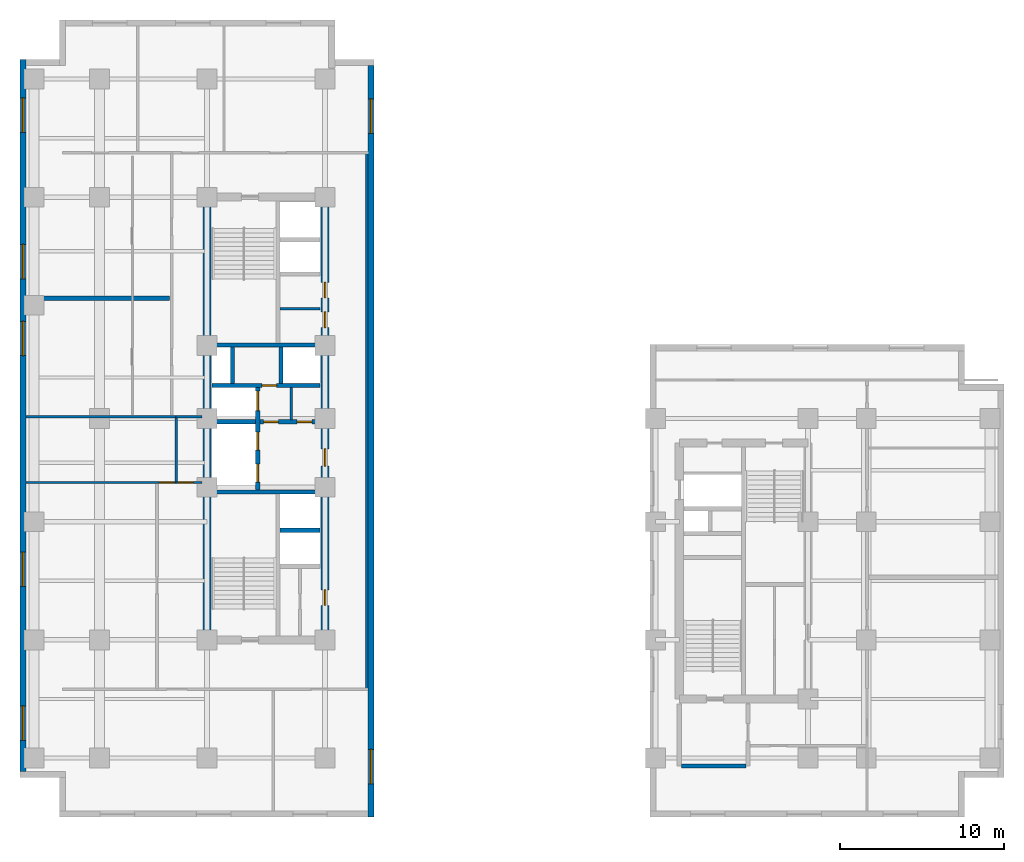
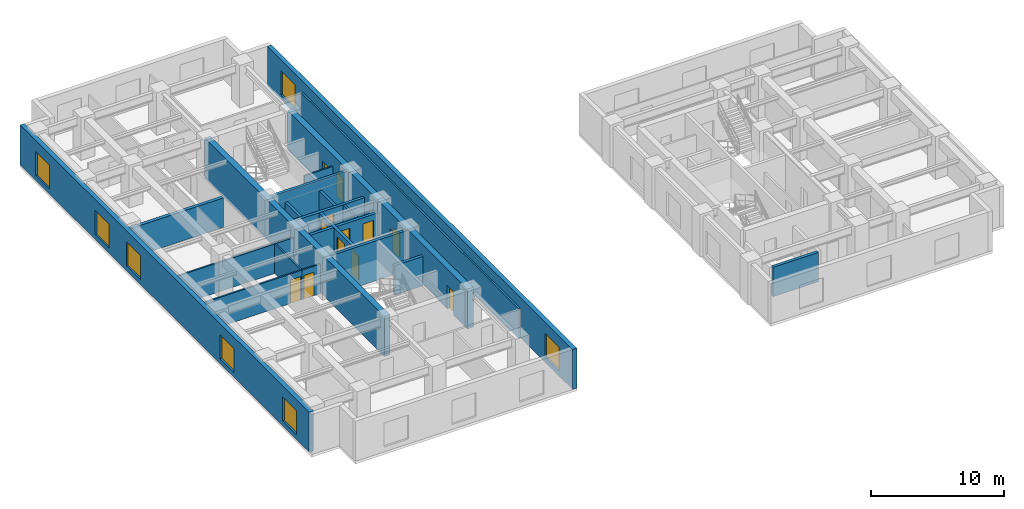
# One storey, part 3 of 9: 23 walls, 12 doors, 7 windows, 19 openings.
"""IFC4 building model written with IfcOpenShell, lengths in metres."""

from ifc_helpers import new_model, entity, si_unit, converted_unit, direction, frame, origin_with_axes, origin_2d_with_axis, place, context, subcontext, project, spatial, polyline, rectangle, outline, extrude, material, layer, layer_set, type_object, element, fill, save


model = new_model("IFC4")

# Units and contexts
model_context = context("Model", 3, precision=1e-05, world=origin_with_axes(), true_north=direction((0.0, 1.0)))
body_context = subcontext(model_context, "Body", "Model", "MODEL_VIEW")
ifc_project = project(units=[si_unit("LENGTHUNIT", "METRE"), si_unit("AREAUNIT", "SQUARE_METRE"), si_unit("VOLUMEUNIT", "CUBIC_METRE"), converted_unit("PLANEANGLEUNIT", "DEGREE", entity("IfcPlaneAngleMeasure", 0.017453292519943295), si_unit("PLANEANGLEUNIT", "RADIAN"), dimensions=[0, 0, 0, 0, 0, 0, 0]), si_unit("MASSUNIT", "GRAM", prefix="KILO"), si_unit("THERMODYNAMICTEMPERATUREUNIT", "KELVIN")], contexts=[model_context])

# Site, building, storey
site_placement = place(None, origin_with_axes())
site = spatial("IfcSite", under=ifc_project, at=site_placement, CompositionType="ELEMENT")
building_placement = place(site_placement, origin_with_axes())
building = spatial("IfcBuilding", under=site, at=building_placement, Name="Varnlund Millrace Tower", CompositionType="ELEMENT")
storey_placement = place(building_placement, frame((0.0, 0.0, 108.6), z_axis=(0.0, 0.0, 1.0), x_axis=(1.0, 0.0, 0.0)))
storey = spatial("IfcBuildingStorey", under=building, at=storey_placement, Name="L26", CompositionType="ELEMENT", Elevation=108.6)

# Wall
ifc_material_1 = material(Name="Concrete C70/85", Category="concrete")
ifc_layer_1 = layer(ifc_material_1, 0.5, Name="Concrete C70/85")
ifc_layer_set_1 = layer_set([ifc_layer_1], Name="Concrete C70/85")
wall_type_1 = type_object("IfcWallType", Name="Type-CoreWall-Shear-500-C70", PredefinedType="SHEAR", material=ifc_layer_set_1)
wall_1_placement = place(storey_placement, frame((11.4, 10.8, 0.0), z_axis=(0.0, 0.0, 1.0), x_axis=(0.0, 1.0, 0.0)))
element("IfcWall", 1, at=wall_1_placement, inside=storey, type_object=wall_type_1, Name="Type-CoreWall-Shear-500-C70", PredefinedType="SHEAR", context=body_context, shape_type="SweptSolid", body=[
    extrude(outline(polyline([(0.0, -0.25), (27.0, -0.25), (27.0, 0.25), (0.0, 0.25), (0.0, -0.25)])), origin_with_axes(), (0.0, 0.0, 1.0), 3.66),
])

# Wall, openings, doors
wall_2_placement = place(storey_placement, frame((18.6, 10.8, 0.0), z_axis=(0.0, 0.0, 1.0), x_axis=(0.0, 1.0, 0.0)))
wall_2 = element("IfcWall", 2, at=wall_2_placement, inside=storey, type_object=wall_type_1, Name="Type-CoreWall-Shear-500-C70", PredefinedType="SHEAR", context=body_context, shape_type="SweptSolid", body=[
    extrude(outline(polyline([(0.0, -0.25), (13.5, -0.25), (13.5, 0.25), (0.0, 0.25), (0.0, -0.25)])), origin_with_axes(), (0.0, 0.0, 1.0), 3.66),
])
opening_1_placement = place(wall_2_placement, frame((11.125, 0.0, 0.0), z_axis=(0.0, 0.0, 1.0), x_axis=(1.0, 0.0, 0.0)))
opening_1 = element("IfcOpeningElement", 3, at=opening_1_placement, cuts=wall_2, Name="Opening L26:DR-FFLOB-A", PredefinedType="OPENING", context=body_context, shape_type="SweptSolid", body=[
    extrude(rectangle(XDim=1.05, YDim=0.52, at=origin_2d_with_axis()), origin_with_axes(), (0.0, 0.0, 1.0), 2.15),
])
opening_2_placement = place(wall_2_placement, frame((2.575, 0.0, 0.0), z_axis=(0.0, 0.0, 1.0), x_axis=(1.0, 0.0, 0.0)))
opening_2 = element("IfcOpeningElement", 4, at=opening_2_placement, cuts=wall_2, Name="Opening L26:DR-RECL-L2", PredefinedType="OPENING", context=body_context, shape_type="SweptSolid", body=[
    extrude(rectangle(XDim=0.95, YDim=0.52, at=origin_2d_with_axis()), origin_with_axes(), (0.0, 0.0, 1.0), 2.15),
])
ifc_material_2 = material(Name="Smoke-barrier hollow steel fire door", Category="steel")
door_type_1 = type_object("IfcDoorType", Name="Type-FireDoor-Lobby-1050X2150", OperationType="NOTDEFINED", PredefinedType="DOOR", material=ifc_material_2)
door_1_placement = place(wall_2_placement, frame((11.125, 0.0, 0.0), z_axis=(0.0, 0.0, 1.0), x_axis=(1.0, 0.0, 0.0)))
door_1 = element("IfcDoor", 5, at=door_1_placement, inside=storey, type_object=door_type_1, Name="Type-FireDoor-Lobby-1050X2150", OperationType="SINGLE_SWING_LEFT", OverallHeight=2.15, OverallWidth=1.05, PredefinedType="DOOR", context=body_context, shape_type="SweptSolid", body=[
    extrude(rectangle(XDim=1.05, YDim=0.09, at=origin_2d_with_axis()), origin_with_axes(), (0.0, 0.0, 1.0), 2.15),
])
fill(opening_1, door_1)
ifc_material_3 = material(Name="Fire-rated hollow steel core service door", Category="steel")
door_type_2 = type_object("IfcDoorType", Name="Type-FireDoor-Service-950X2150", OperationType="NOTDEFINED", PredefinedType="DOOR", material=ifc_material_3)
door_2_placement = place(wall_2_placement, frame((2.575, 0.0, 0.0), z_axis=(0.0, 0.0, 1.0), x_axis=(1.0, 0.0, 0.0)))
door_2 = element("IfcDoor", 6, at=door_2_placement, inside=storey, type_object=door_type_2, Name="Type-FireDoor-Service-950X2150", OperationType="SINGLE_SWING_RIGHT", OverallHeight=2.15, OverallWidth=0.95, PredefinedType="DOOR", context=body_context, shape_type="SweptSolid", body=[
    extrude(rectangle(XDim=0.95, YDim=0.09, at=origin_2d_with_axis()), origin_with_axes(), (0.0, 0.0, 1.0), 2.15),
])
fill(opening_2, door_2)

wall_3_placement = place(storey_placement, frame((18.6, 24.3, 0.0), z_axis=(0.0, 0.0, 1.0), x_axis=(0.0, 1.0, 0.0)))
wall_3 = element("IfcWall", 7, at=wall_3_placement, inside=storey, type_object=wall_type_1, Name="Type-CoreWall-Shear-500-C70", PredefinedType="SHEAR", context=body_context, shape_type="SweptSolid", body=[
    extrude(outline(polyline([(0.0, -0.25), (13.5, -0.25), (13.5, 0.25), (0.0, 0.25), (0.0, -0.25)])), origin_with_axes(), (0.0, 0.0, 1.0), 3.66),
])
opening_3_placement = place(wall_3_placement, frame((6.025, 0.0, 0.0), z_axis=(0.0, 0.0, 1.0), x_axis=(1.0, 0.0, 0.0)))
opening_3 = element("IfcOpeningElement", 8, at=opening_3_placement, cuts=wall_3, Name="Opening L26:DR-CA-WC1", PredefinedType="OPENING", context=body_context, shape_type="SweptSolid", body=[
    extrude(rectangle(XDim=0.95, YDim=0.52, at=origin_2d_with_axis()), origin_with_axes(), (0.0, 0.0, 1.0), 2.15),
])
opening_4_placement = place(wall_3_placement, frame((7.825, 0.0, 0.0), z_axis=(0.0, 0.0, 1.0), x_axis=(1.0, 0.0, 0.0)))
opening_4 = element("IfcOpeningElement", 9, at=opening_4_placement, cuts=wall_3, Name="Opening L26:DR-CA-WC2", PredefinedType="OPENING", context=body_context, shape_type="SweptSolid", body=[
    extrude(rectangle(XDim=0.95, YDim=0.52, at=origin_2d_with_axis()), origin_with_axes(), (0.0, 0.0, 1.0), 2.15),
])
door_3_placement = place(wall_3_placement, frame((6.025, 0.0, 0.0), z_axis=(0.0, 0.0, 1.0), x_axis=(1.0, 0.0, 0.0)))
door_3 = element("IfcDoor", 10, at=door_3_placement, inside=storey, type_object=door_type_2, Name="Type-FireDoor-Service-950X2150", OperationType="SINGLE_SWING_RIGHT", OverallHeight=2.15, OverallWidth=0.95, PredefinedType="DOOR", context=body_context, shape_type="SweptSolid", body=[
    extrude(rectangle(XDim=0.95, YDim=0.09, at=origin_2d_with_axis()), origin_with_axes(), (0.0, 0.0, 1.0), 2.15),
])
fill(opening_3, door_3)
door_4_placement = place(wall_3_placement, frame((7.825, 0.0, 0.0), z_axis=(0.0, 0.0, 1.0), x_axis=(1.0, 0.0, 0.0)))
door_4 = element("IfcDoor", 11, at=door_4_placement, inside=storey, type_object=door_type_2, Name="Type-FireDoor-Service-950X2150", OperationType="SINGLE_SWING_RIGHT", OverallHeight=2.15, OverallWidth=0.95, PredefinedType="DOOR", context=body_context, shape_type="SweptSolid", body=[
    extrude(rectangle(XDim=0.95, YDim=0.09, at=origin_2d_with_axis()), origin_with_axes(), (0.0, 0.0, 1.0), 2.15),
])
fill(opening_4, door_4)

# Wall, openings, windows
ifc_material_4 = material(Name="Precast concrete C50/60", Category="concrete")
ifc_layer_2 = layer(ifc_material_4, 0.38, Name="Precast concrete C50/60")
ifc_layer_set_2 = layer_set([ifc_layer_2], Name="Precast concrete C50/60")
wall_type_2 = type_object("IfcWallType", Name="Type-ExtWall-Precast-Tube-380", PredefinedType="SOLIDWALL", material=ifc_layer_set_2)
wall_4_placement = place(storey_placement, frame((0.19, 2.78, 0.0), z_axis=(0.0, 0.0, 1.0), x_axis=(0.0, 1.0, 0.0)))
wall_4 = element("IfcWall", 12, at=wall_4_placement, inside=storey, type_object=wall_type_2, Name="Type-ExtWall-Precast-Tube-380", PredefinedType="SOLIDWALL", context=body_context, shape_type="SweptSolid", body=[
    extrude(outline(polyline([(0.0, -0.19), (43.42, -0.19), (43.42, 0.19), (0.0, 0.19), (0.0, -0.19)])), origin_with_axes(), (0.0, 0.0, 1.0), 3.66),
])
opening_5_placement = place(wall_4_placement, frame((2.946, 0.0, 0.45), z_axis=(0.0, 0.0, 1.0), x_axis=(1.0, 0.0, 0.0)))
opening_5 = element("IfcOpeningElement", 13, at=opening_5_placement, cuts=wall_4, Name="Opening L26:WN-01", PredefinedType="OPENING", context=body_context, shape_type="SweptSolid", body=[
    extrude(rectangle(XDim=2.1, YDim=0.4, at=origin_2d_with_axis()), origin_with_axes(), (0.0, 0.0, 1.0), 2.2),
])
opening_6_placement = place(wall_4_placement, frame((12.328, 0.0, 0.45), z_axis=(0.0, 0.0, 1.0), x_axis=(1.0, 0.0, 0.0)))
opening_6 = element("IfcOpeningElement", 14, at=opening_6_placement, cuts=wall_4, Name="Opening L26:WN-02", PredefinedType="OPENING", context=body_context, shape_type="SweptSolid", body=[
    extrude(rectangle(XDim=2.1, YDim=0.4, at=origin_2d_with_axis()), origin_with_axes(), (0.0, 0.0, 1.0), 2.2),
])
opening_7_placement = place(wall_4_placement, frame((26.401, 0.0, 0.45), z_axis=(0.0, 0.0, 1.0), x_axis=(1.0, 0.0, 0.0)))
opening_7 = element("IfcOpeningElement", 15, at=opening_7_placement, cuts=wall_4, Name="Opening L26:WN-03", PredefinedType="OPENING", context=body_context, shape_type="SweptSolid", body=[
    extrude(rectangle(XDim=2.1, YDim=0.4, at=origin_2d_with_axis()), origin_with_axes(), (0.0, 0.0, 1.0), 2.2),
])
opening_8_placement = place(wall_4_placement, frame((31.092, 0.0, 0.45), z_axis=(0.0, 0.0, 1.0), x_axis=(1.0, 0.0, 0.0)))
opening_8 = element("IfcOpeningElement", 16, at=opening_8_placement, cuts=wall_4, Name="Opening L26:WN-04", PredefinedType="OPENING", context=body_context, shape_type="SweptSolid", body=[
    extrude(rectangle(XDim=2.1, YDim=0.4, at=origin_2d_with_axis()), origin_with_axes(), (0.0, 0.0, 1.0), 2.2),
])
opening_9_placement = place(wall_4_placement, frame((40.024, 0.0, 0.45), z_axis=(0.0, 0.0, 1.0), x_axis=(1.0, 0.0, 0.0)))
opening_9 = element("IfcOpeningElement", 17, at=opening_9_placement, cuts=wall_4, Name="Opening L26:WN-05", PredefinedType="OPENING", context=body_context, shape_type="SweptSolid", body=[
    extrude(rectangle(XDim=2.1, YDim=0.4, at=origin_2d_with_axis()), origin_with_axes(), (0.0, 0.0, 1.0), 2.2),
])
ifc_material_5 = material(Name="Argon low-e triple glazing in thermally broken bronze frame", Category="glass")
window_type = type_object("IfcWindowType", Name="Type-Window-Punched-2100X2200", PartitioningType="SINGLE_PANEL", PredefinedType="WINDOW", material=ifc_material_5)
window_1_placement = place(wall_4_placement, frame((2.946, 0.0, 0.45), z_axis=(0.0, 0.0, 1.0), x_axis=(1.0, 0.0, 0.0)))
window_1 = element("IfcWindow", 18, at=window_1_placement, inside=storey, type_object=window_type, Name="Type-Window-Punched-2100X2200", OverallHeight=2.2, OverallWidth=2.1, PredefinedType="WINDOW", context=body_context, shape_type="SweptSolid", body=[
    extrude(rectangle(XDim=2.1, YDim=0.09, at=origin_2d_with_axis()), origin_with_axes(), (0.0, 0.0, 1.0), 2.2),
])
fill(opening_5, window_1)
window_2_placement = place(wall_4_placement, frame((12.328, 0.0, 0.45), z_axis=(0.0, 0.0, 1.0), x_axis=(1.0, 0.0, 0.0)))
window_2 = element("IfcWindow", 19, at=window_2_placement, inside=storey, type_object=window_type, Name="Type-Window-Punched-2100X2200", OverallHeight=2.2, OverallWidth=2.1, PredefinedType="WINDOW", context=body_context, shape_type="SweptSolid", body=[
    extrude(rectangle(XDim=2.1, YDim=0.09, at=origin_2d_with_axis()), origin_with_axes(), (0.0, 0.0, 1.0), 2.2),
])
fill(opening_6, window_2)
window_3_placement = place(wall_4_placement, frame((26.401, 0.0, 0.45), z_axis=(0.0, 0.0, 1.0), x_axis=(1.0, 0.0, 0.0)))
window_3 = element("IfcWindow", 20, at=window_3_placement, inside=storey, type_object=window_type, Name="Type-Window-Punched-2100X2200", OverallHeight=2.2, OverallWidth=2.1, PredefinedType="WINDOW", context=body_context, shape_type="SweptSolid", body=[
    extrude(rectangle(XDim=2.1, YDim=0.09, at=origin_2d_with_axis()), origin_with_axes(), (0.0, 0.0, 1.0), 2.2),
])
fill(opening_7, window_3)
window_4_placement = place(wall_4_placement, frame((31.092, 0.0, 0.45), z_axis=(0.0, 0.0, 1.0), x_axis=(1.0, 0.0, 0.0)))
window_4 = element("IfcWindow", 21, at=window_4_placement, inside=storey, type_object=window_type, Name="Type-Window-Punched-2100X2200", OverallHeight=2.2, OverallWidth=2.1, PredefinedType="WINDOW", context=body_context, shape_type="SweptSolid", body=[
    extrude(rectangle(XDim=2.1, YDim=0.09, at=origin_2d_with_axis()), origin_with_axes(), (0.0, 0.0, 1.0), 2.2),
])
fill(opening_8, window_4)
window_5_placement = place(wall_4_placement, frame((40.024, 0.0, 0.45), z_axis=(0.0, 0.0, 1.0), x_axis=(1.0, 0.0, 0.0)))
window_5 = element("IfcWindow", 22, at=window_5_placement, inside=storey, type_object=window_type, Name="Type-Window-Punched-2100X2200", OverallHeight=2.2, OverallWidth=2.1, PredefinedType="WINDOW", context=body_context, shape_type="SweptSolid", body=[
    extrude(rectangle(XDim=2.1, YDim=0.09, at=origin_2d_with_axis()), origin_with_axes(), (0.0, 0.0, 1.0), 2.2),
])
fill(opening_9, window_5)

wall_5_placement = place(storey_placement, frame((21.41, 45.82, 0.0), z_axis=(0.0, 0.0, 1.0), x_axis=(0.0, -1.0, 0.0)))
wall_5 = element("IfcWall", 23, at=wall_5_placement, inside=storey, type_object=wall_type_2, Name="Type-ExtWall-Precast-Tube-380", PredefinedType="SOLIDWALL", context=body_context, shape_type="SweptSolid", body=[
    extrude(outline(polyline([(0.0, -0.19), (45.82, -0.19), (45.82, 0.19), (0.0, 0.19), (0.0, -0.19)])), origin_with_axes(), (0.0, 0.0, 1.0), 3.66),
])
opening_10_placement = place(wall_5_placement, frame((3.079, 0.0, 0.45), z_axis=(0.0, 0.0, 1.0), x_axis=(1.0, 0.0, 0.0)))
opening_10 = element("IfcOpeningElement", 24, at=opening_10_placement, cuts=wall_5, Name="Opening L26:WN-09", PredefinedType="OPENING", context=body_context, shape_type="SweptSolid", body=[
    extrude(rectangle(XDim=2.1, YDim=0.4, at=origin_2d_with_axis()), origin_with_axes(), (0.0, 0.0, 1.0), 2.2),
])
opening_11_placement = place(wall_5_placement, frame((42.741, 0.0, 0.45), z_axis=(0.0, 0.0, 1.0), x_axis=(1.0, 0.0, 0.0)))
opening_11 = element("IfcOpeningElement", 25, at=opening_11_placement, cuts=wall_5, Name="Opening L26:WN-10", PredefinedType="OPENING", context=body_context, shape_type="SweptSolid", body=[
    extrude(rectangle(XDim=2.1, YDim=0.4, at=origin_2d_with_axis()), origin_with_axes(), (0.0, 0.0, 1.0), 2.2),
])
window_6_placement = place(wall_5_placement, frame((3.079, 0.0, 0.45), z_axis=(0.0, 0.0, 1.0), x_axis=(1.0, 0.0, 0.0)))
window_6 = element("IfcWindow", 26, at=window_6_placement, inside=storey, type_object=window_type, Name="Type-Window-Punched-2100X2200", OverallHeight=2.2, OverallWidth=2.1, PredefinedType="WINDOW", context=body_context, shape_type="SweptSolid", body=[
    extrude(rectangle(XDim=2.1, YDim=0.09, at=origin_2d_with_axis()), origin_with_axes(), (0.0, 0.0, 1.0), 2.2),
])
fill(opening_10, window_6)
window_7_placement = place(wall_5_placement, frame((42.741, 0.0, 0.45), z_axis=(0.0, 0.0, 1.0), x_axis=(1.0, 0.0, 0.0)))
window_7 = element("IfcWindow", 27, at=window_7_placement, inside=storey, type_object=window_type, Name="Type-Window-Punched-2100X2200", OverallHeight=2.2, OverallWidth=2.1, PredefinedType="WINDOW", context=body_context, shape_type="SweptSolid", body=[
    extrude(rectangle(XDim=2.1, YDim=0.09, at=origin_2d_with_axis()), origin_with_axes(), (0.0, 0.0, 1.0), 2.2),
])
fill(opening_11, window_7)

# Walls
ifc_material_6 = material(Name="Double-stud STC-60 conference acoustic partition", Category="gypsum")
ifc_layer_3 = layer(ifc_material_6, 0.28, Name="Double-stud STC-60 conference acoustic partition")
ifc_layer_set_3 = layer_set([ifc_layer_3], Name="Double-stud STC-60 conference acoustic partition")
wall_type_3 = type_object("IfcWallType", Name="Type-Partition-Acoustic-280", PredefinedType="PARTITIONING", material=ifc_layer_set_3)
wall_6_placement = place(storey_placement, frame((0.375, 31.623, 0.0), z_axis=(0.0, 0.0, 1.0), x_axis=(1.0, 0.0, 0.0)))
element("IfcWall", 28, at=wall_6_placement, inside=storey, type_object=wall_type_3, Name="Type-Partition-Acoustic-280", PredefinedType="PARTITIONING", context=body_context, shape_type="SweptSolid", body=[
    extrude(outline(polyline([(0.0, -0.14), (8.755, -0.14), (8.755, 0.14), (0.0, 0.14), (0.0, -0.14)])), origin_with_axes(), (0.0, 0.0, 1.0), 2.7),
])
ifc_material_7 = material(Name="Fire-rated gypsum board on cold-formed steel framing", Category="steel")
ifc_layer_4 = layer(ifc_material_7, 0.16, Name="Fire-rated gypsum board on cold-formed steel framing")
ifc_layer_set_4 = layer_set([ifc_layer_4], Name="Fire-rated gypsum board on cold-formed steel framing")
wall_type_4 = type_object("IfcWallType", Name="Type-Partition-Corridor-160", PredefinedType="PARTITIONING", material=ifc_layer_set_4)
wall_7_placement = place(storey_placement, frame((16.55, 24.22, 0.0), z_axis=(0.0, 0.0, 1.0), x_axis=(0.0, 1.0, 0.0)))
element("IfcWall", 29, at=wall_7_placement, inside=storey, type_object=wall_type_4, Name="Type-Partition-Corridor-160", PredefinedType="PARTITIONING", context=body_context, shape_type="SweptSolid", body=[
    extrude(outline(polyline([(0.0, -0.08), (1.98, -0.08), (1.98, 0.08), (0.0, 0.08), (0.0, -0.08)])), origin_with_axes(), (0.0, 0.0, 1.0), 2.7),
])
wall_8_placement = place(storey_placement, frame((21.15, 7.8, 0.0), z_axis=(0.0, 0.0, 1.0), x_axis=(0.0, 1.0, 0.0)))
element("IfcWall", 30, at=wall_8_placement, inside=storey, type_object=wall_type_4, Name="Type-Partition-Corridor-160", PredefinedType="PARTITIONING", context=body_context, shape_type="SweptSolid", body=[
    extrude(outline(polyline([(0.0, -0.08), (32.7, -0.08), (32.7, 0.08), (0.0, 0.08), (0.0, -0.08)])), origin_with_axes(), (0.0, 0.0, 1.0), 2.7),
])
ifc_material_8 = material(Name="Moisture-resistant gypsum restroom partition", Category="gypsum")
ifc_layer_5 = layer(ifc_material_8, 0.14, Name="Moisture-resistant gypsum restroom partition")
ifc_layer_set_5 = layer_set([ifc_layer_5], Name="Moisture-resistant gypsum restroom partition")
wall_type_5 = type_object("IfcWallType", Name="Type-Partition-Wet-140", PredefinedType="PARTITIONING", material=ifc_layer_set_5)
wall_9_placement = place(storey_placement, frame((15.84, 31.0, 0.0), z_axis=(0.0, 0.0, 1.0), x_axis=(1.0, 0.0, 0.0)))
element("IfcWall", 31, at=wall_9_placement, inside=storey, type_object=wall_type_5, Name="Type-Partition-Wet-140", PredefinedType="PARTITIONING", context=body_context, shape_type="SweptSolid", body=[
    extrude(outline(polyline([(0.0, -0.07), (2.46, -0.07), (2.46, 0.07), (0.0, 0.07), (0.0, -0.07)])), origin_with_axes(), (0.0, 0.0, 1.0), 2.7),
])
wall_10_placement = place(storey_placement, frame((9.52, 20.4, 0.0), z_axis=(0.0, 0.0, 1.0), x_axis=(0.0, 1.0, 0.0)))
element("IfcWall", 32, at=wall_10_placement, inside=storey, type_object=wall_type_5, Name="Type-Partition-Wet-140", PredefinedType="PARTITIONING", context=body_context, shape_type="SweptSolid", body=[
    extrude(outline(polyline([(0.0, -0.07), (4.0, -0.07), (4.0, 0.07), (0.0, 0.07), (0.0, -0.07)])), origin_with_axes(), (0.0, 0.0, 1.0), 2.7),
])

# Wall, opening, door
wall_11_placement = place(storey_placement, frame((9.52, 20.4, 0.0), z_axis=(0.0, 0.0, 1.0), x_axis=(1.0, 0.0, 0.0)))
wall_11 = element("IfcWall", 33, at=wall_11_placement, inside=storey, type_object=wall_type_5, Name="Type-Partition-Wet-140", PredefinedType="PARTITIONING", context=body_context, shape_type="SweptSolid", body=[
    extrude(outline(polyline([(0.0, -0.07), (1.58, -0.07), (1.58, 0.07), (0.0, 0.07), (0.0, -0.07)])), origin_with_axes(), (0.0, 0.0, 1.0), 2.7),
])
opening_12_placement = place(wall_11_placement, frame((0.59, 0.0, 0.0), z_axis=(0.0, 0.0, 1.0), x_axis=(1.0, 0.0, 0.0)))
opening_12 = element("IfcOpeningElement", 34, at=opening_12_placement, cuts=wall_11, Name="Opening L26:DR-CA-WCW", PredefinedType="OPENING", context=body_context, shape_type="SweptSolid", body=[
    extrude(rectangle(XDim=0.9, YDim=0.16, at=origin_2d_with_axis()), origin_with_axes(), (0.0, 0.0, 1.0), 2.15),
])
ifc_material_9 = material(Name="Painted steel riser and closet door", Category="steel")
door_type_3 = type_object("IfcDoorType", Name="Type-IntDoor-Closet-900X2150", OperationType="NOTDEFINED", PredefinedType="DOOR", material=ifc_material_9)
door_5_placement = place(wall_11_placement, frame((0.59, 0.0, 0.0), z_axis=(0.0, 0.0, 1.0), x_axis=(1.0, 0.0, 0.0)))
door_5 = element("IfcDoor", 35, at=door_5_placement, inside=storey, type_object=door_type_3, Name="Type-IntDoor-Closet-900X2150", OperationType="SINGLE_SWING_LEFT", OverallHeight=2.15, OverallWidth=0.9, PredefinedType="DOOR", context=body_context, shape_type="SweptSolid", body=[
    extrude(rectangle(XDim=0.9, YDim=0.084, at=origin_2d_with_axis()), origin_with_axes(), (0.0, 0.0, 1.0), 2.15),
])
fill(opening_12, door_5)

# Wall
wall_12_placement = place(storey_placement, frame((9.52, 24.4, 0.0), z_axis=(0.0, 0.0, 1.0), x_axis=(1.0, 0.0, 0.0)))
element("IfcWall", 36, at=wall_12_placement, inside=storey, type_object=wall_type_5, Name="Type-Partition-Wet-140", PredefinedType="PARTITIONING", context=body_context, shape_type="SweptSolid", body=[
    extrude(outline(polyline([(0.0, -0.07), (1.58, -0.07), (1.58, 0.07), (0.0, 0.07), (0.0, -0.07)])), origin_with_axes(), (0.0, 0.0, 1.0), 2.7),
])

# Wall, opening, door
wall_13_placement = place(storey_placement, frame((0.36, 20.4, 0.0), z_axis=(0.0, 0.0, 1.0), x_axis=(1.0, 0.0, 0.0)))
wall_13 = element("IfcWall", 37, at=wall_13_placement, inside=storey, type_object=wall_type_5, Name="Type-Partition-Wet-140", PredefinedType="PARTITIONING", context=body_context, shape_type="SweptSolid", body=[
    extrude(outline(polyline([(0.0, -0.07), (9.16, -0.07), (9.16, 0.07), (0.0, 0.07), (0.0, -0.07)])), origin_with_axes(), (0.0, 0.0, 1.0), 2.7),
])
opening_13_placement = place(wall_13_placement, frame((8.59, 0.0, 0.0), z_axis=(0.0, 0.0, 1.0), x_axis=(1.0, 0.0, 0.0)))
opening_13 = element("IfcOpeningElement", 38, at=opening_13_placement, cuts=wall_13, Name="Opening L26:DR-W-MIDR", PredefinedType="OPENING", context=body_context, shape_type="SweptSolid", body=[
    extrude(rectangle(XDim=0.9, YDim=0.16, at=origin_2d_with_axis()), origin_with_axes(), (0.0, 0.0, 1.0), 2.15),
])
door_6_placement = place(wall_13_placement, frame((8.59, 0.0, 0.0), z_axis=(0.0, 0.0, 1.0), x_axis=(1.0, 0.0, 0.0)))
door_6 = element("IfcDoor", 39, at=door_6_placement, inside=storey, type_object=door_type_3, Name="Type-IntDoor-Closet-900X2150", OperationType="SINGLE_SWING_LEFT", OverallHeight=2.15, OverallWidth=0.9, PredefinedType="DOOR", context=body_context, shape_type="SweptSolid", body=[
    extrude(rectangle(XDim=0.9, YDim=0.084, at=origin_2d_with_axis()), origin_with_axes(), (0.0, 0.0, 1.0), 2.15),
])
fill(opening_13, door_6)

# Wall
wall_14_placement = place(storey_placement, frame((0.36, 24.4, 0.0), z_axis=(0.0, 0.0, 1.0), x_axis=(1.0, 0.0, 0.0)))
element("IfcWall", 40, at=wall_14_placement, inside=storey, type_object=wall_type_5, Name="Type-Partition-Wet-140", PredefinedType="PARTITIONING", context=body_context, shape_type="SweptSolid", body=[
    extrude(outline(polyline([(0.0, -0.07), (9.16, -0.07), (9.16, 0.07), (0.0, 0.07), (0.0, -0.07)])), origin_with_axes(), (0.0, 0.0, 1.0), 2.7),
])

# Wall, openings, doors
ifc_material_10 = material(Name="Concrete C60/75", Category="concrete")
ifc_layer_6 = layer(ifc_material_10, 0.25, Name="Concrete C60/75")
ifc_layer_set_6 = layer_set([ifc_layer_6], Name="Concrete C60/75")
wall_type_6 = type_object("IfcWallType", Name="Type-ShaftWall-Fire-250", PredefinedType="SOLIDWALL", material=ifc_layer_set_6)
wall_15_placement = place(storey_placement, frame((14.5, 19.95, 0.0), z_axis=(0.0, 0.0, 1.0), x_axis=(0.0, 1.0, 0.0)))
wall_15 = element("IfcWall", 41, at=wall_15_placement, inside=storey, type_object=wall_type_6, Name="Type-ShaftWall-Fire-250", PredefinedType="SOLIDWALL", context=body_context, shape_type="SweptSolid", body=[
    extrude(outline(polyline([(0.0, -0.125), (6.25, -0.125), (6.25, 0.125), (0.0, 0.125), (0.0, -0.125)])), origin_with_axes(), (0.0, 0.0, 1.0), 2.7),
])
opening_14_placement = place(wall_15_placement, frame((1.025, 0.0, 0.0), z_axis=(0.0, 0.0, 1.0), x_axis=(1.0, 0.0, 0.0)))
opening_14 = element("IfcOpeningElement", 42, at=opening_14_placement, cuts=wall_15, Name="Opening L26:LD-FSAE1", PredefinedType="OPENING", context=body_context, shape_type="SweptSolid", body=[
    extrude(rectangle(XDim=1.1, YDim=0.27, at=origin_2d_with_axis()), origin_with_axes(), (0.0, 0.0, 1.0), 2.15),
])
opening_15_placement = place(wall_15_placement, frame((2.975, 0.0, 0.0), z_axis=(0.0, 0.0, 1.0), x_axis=(1.0, 0.0, 0.0)))
opening_15 = element("IfcOpeningElement", 43, at=opening_15_placement, cuts=wall_15, Name="Opening L26:LD-FSAE2", PredefinedType="OPENING", context=body_context, shape_type="SweptSolid", body=[
    extrude(rectangle(XDim=1.1, YDim=0.27, at=origin_2d_with_axis()), origin_with_axes(), (0.0, 0.0, 1.0), 2.15),
])
opening_16_placement = place(wall_15_placement, frame((5.425, 0.0, 0.0), z_axis=(0.0, 0.0, 1.0), x_axis=(1.0, 0.0, 0.0)))
opening_16 = element("IfcOpeningElement", 44, at=opening_16_placement, cuts=wall_15, Name="Opening L26:LD-SRV1", PredefinedType="OPENING", context=body_context, shape_type="SweptSolid", body=[
    extrude(rectangle(XDim=1.2, YDim=0.27, at=origin_2d_with_axis()), origin_with_axes(), (0.0, 0.0, 1.0), 2.15),
])
ifc_material_11 = material(Name="Stainless and architectural bronze sliding landing door")
door_type_4 = type_object("IfcDoorType", Name="Type-LiftLandingDoor-1100X2150", OperationType="NOTDEFINED", PredefinedType="DOOR", material=ifc_material_11)
door_7_placement = place(wall_15_placement, frame((1.025, 0.0, 0.0), z_axis=(0.0, 0.0, 1.0), x_axis=(1.0, 0.0, 0.0)))
door_7 = element("IfcDoor", 45, at=door_7_placement, inside=storey, type_object=door_type_4, Name="Type-LiftLandingDoor-1100X2150", OperationType="SLIDING_TO_LEFT", OverallHeight=2.15, OverallWidth=1.1, PredefinedType="DOOR", context=body_context, shape_type="SweptSolid", body=[
    extrude(rectangle(XDim=1.1, YDim=0.09, at=origin_2d_with_axis()), origin_with_axes(), (0.0, 0.0, 1.0), 2.15),
])
fill(opening_14, door_7)
door_8_placement = place(wall_15_placement, frame((2.975, 0.0, 0.0), z_axis=(0.0, 0.0, 1.0), x_axis=(1.0, 0.0, 0.0)))
door_8 = element("IfcDoor", 46, at=door_8_placement, inside=storey, type_object=door_type_4, Name="Type-LiftLandingDoor-1100X2150", OperationType="SLIDING_TO_RIGHT", OverallHeight=2.15, OverallWidth=1.1, PredefinedType="DOOR", context=body_context, shape_type="SweptSolid", body=[
    extrude(rectangle(XDim=1.1, YDim=0.09, at=origin_2d_with_axis()), origin_with_axes(), (0.0, 0.0, 1.0), 2.15),
])
fill(opening_15, door_8)
ifc_material_12 = material(Name="Heavy-duty freight sliding landing door")
door_type_5 = type_object("IfcDoorType", Name="Type-LiftLandingDoor-Service-1200X2150", OperationType="NOTDEFINED", PredefinedType="DOOR", material=ifc_material_12)
door_9_placement = place(wall_15_placement, frame((5.425, 0.0, 0.0), z_axis=(0.0, 0.0, 1.0), x_axis=(1.0, 0.0, 0.0)))
door_9 = element("IfcDoor", 47, at=door_9_placement, inside=storey, type_object=door_type_5, Name="Type-LiftLandingDoor-Service-1200X2150", OperationType="DOUBLE_DOOR_SLIDING", OverallHeight=2.15, OverallWidth=1.2, PredefinedType="DOOR", context=body_context, shape_type="SweptSolid", body=[
    extrude(rectangle(XDim=1.2, YDim=0.09, at=origin_2d_with_axis()), origin_with_axes(), (0.0, 0.0, 1.0), 2.15),
])
fill(opening_16, door_9)

wall_16_placement = place(storey_placement, frame((11.7, 24.1, 0.0), z_axis=(0.0, 0.0, 1.0), x_axis=(1.0, 0.0, 0.0)))
wall_16 = element("IfcWall", 48, at=wall_16_placement, inside=storey, type_object=wall_type_6, Name="Type-ShaftWall-Fire-250", PredefinedType="SOLIDWALL", context=body_context, shape_type="SweptSolid", body=[
    extrude(outline(polyline([(0.0, -0.125), (6.6, -0.125), (6.6, 0.125), (0.0, 0.125), (0.0, -0.125)])), origin_with_axes(), (0.0, 0.0, 1.0), 2.7),
])
opening_17_placement = place(wall_16_placement, frame((3.6, 0.0, 0.0), z_axis=(0.0, 0.0, 1.0), x_axis=(1.0, 0.0, 0.0)))
opening_17 = element("IfcOpeningElement", 49, at=opening_17_placement, cuts=wall_16, Name="Opening L26:DR-CA-SUB1", PredefinedType="OPENING", context=body_context, shape_type="SweptSolid", body=[
    extrude(rectangle(XDim=0.9, YDim=0.27, at=origin_2d_with_axis()), origin_with_axes(), (0.0, 0.0, 1.0), 2.15),
])
opening_18_placement = place(wall_16_placement, frame((5.65, 0.0, 0.0), z_axis=(0.0, 0.0, 1.0), x_axis=(1.0, 0.0, 0.0)))
opening_18 = element("IfcOpeningElement", 50, at=opening_18_placement, cuts=wall_16, Name="Opening L26:DR-CA-SUB2", PredefinedType="OPENING", context=body_context, shape_type="SweptSolid", body=[
    extrude(rectangle(XDim=0.9, YDim=0.27, at=origin_2d_with_axis()), origin_with_axes(), (0.0, 0.0, 1.0), 2.15),
])
ifc_material_13 = material(Name="Fire-rated hollow steel service closet door", Category="steel")
door_type_6 = type_object("IfcDoorType", Name="Type-FireDoor-Closet-900X2150", OperationType="NOTDEFINED", PredefinedType="DOOR", material=ifc_material_13)
door_10_placement = place(wall_16_placement, frame((3.6, 0.0, 0.0), z_axis=(0.0, 0.0, 1.0), x_axis=(1.0, 0.0, 0.0)))
door_10 = element("IfcDoor", 51, at=door_10_placement, inside=storey, type_object=door_type_6, Name="Type-FireDoor-Closet-900X2150", OperationType="SINGLE_SWING_LEFT", OverallHeight=2.15, OverallWidth=0.9, PredefinedType="DOOR", context=body_context, shape_type="SweptSolid", body=[
    extrude(rectangle(XDim=0.9, YDim=0.09, at=origin_2d_with_axis()), origin_with_axes(), (0.0, 0.0, 1.0), 2.15),
])
fill(opening_17, door_10)
door_11_placement = place(wall_16_placement, frame((5.65, 0.0, 0.0), z_axis=(0.0, 0.0, 1.0), x_axis=(1.0, 0.0, 0.0)))
door_11 = element("IfcDoor", 52, at=door_11_placement, inside=storey, type_object=door_type_6, Name="Type-FireDoor-Closet-900X2150", OperationType="SINGLE_SWING_LEFT", OverallHeight=2.15, OverallWidth=0.9, PredefinedType="DOOR", context=body_context, shape_type="SweptSolid", body=[
    extrude(rectangle(XDim=0.9, YDim=0.09, at=origin_2d_with_axis()), origin_with_axes(), (0.0, 0.0, 1.0), 2.15),
])
fill(opening_18, door_11)

# Wall, opening, door
wall_17_placement = place(storey_placement, frame((11.7, 26.325, 0.0), z_axis=(0.0, 0.0, 1.0), x_axis=(1.0, 0.0, 0.0)))
wall_17 = element("IfcWall", 53, at=wall_17_placement, inside=storey, type_object=wall_type_6, Name="Type-ShaftWall-Fire-250", PredefinedType="SOLIDWALL", context=body_context, shape_type="SweptSolid", body=[
    extrude(outline(polyline([(0.0, -0.125), (6.6, -0.125), (6.6, 0.125), (0.0, 0.125), (0.0, -0.125)])), origin_with_axes(), (0.0, 0.0, 1.0), 2.7),
])
opening_19_placement = place(wall_17_placement, frame((3.5, 0.0, 0.0), z_axis=(0.0, 0.0, 1.0), x_axis=(1.0, 0.0, 0.0)))
opening_19 = element("IfcOpeningElement", 54, at=opening_19_placement, cuts=wall_17, Name="Opening L26:DR-CA-ELC", PredefinedType="OPENING", context=body_context, shape_type="SweptSolid", body=[
    extrude(rectangle(XDim=0.9, YDim=0.27, at=origin_2d_with_axis()), origin_with_axes(), (0.0, 0.0, 1.0), 2.15),
])
door_12_placement = place(wall_17_placement, frame((3.5, 0.0, 0.0), z_axis=(0.0, 0.0, 1.0), x_axis=(1.0, 0.0, 0.0)))
door_12 = element("IfcDoor", 55, at=door_12_placement, inside=storey, type_object=door_type_6, Name="Type-FireDoor-Closet-900X2150", OperationType="SINGLE_SWING_LEFT", OverallHeight=2.15, OverallWidth=0.9, PredefinedType="DOOR", context=body_context, shape_type="SweptSolid", body=[
    extrude(rectangle(XDim=0.9, YDim=0.09, at=origin_2d_with_axis()), origin_with_axes(), (0.0, 0.0, 1.0), 2.15),
])
fill(opening_19, door_12)

# Walls
for number, where, z_axis, x_axis, name in (
    (56, (12.96, 26.45, 0.0), (0.0, 0.0, 1.0), (0.0, 1.0, 0.0), "Type-ShaftWall-Fire-250"),
    (57, (15.925, 26.45, 0.0), (0.0, 0.0, 1.0), (0.0, 1.0, 0.0), "Type-ShaftWall-Fire-250"),
):
    element("IfcWall", number, at=place(storey_placement, frame(where, z_axis=z_axis, x_axis=x_axis)), inside=storey, type_object=wall_type_6, Name=name, PredefinedType="SOLIDWALL", context=body_context, shape_type="SweptSolid", body=[
        extrude(outline(polyline([(0.0, -0.125), (2.2, -0.125), (2.2, 0.125), (0.0, 0.125), (0.0, -0.125)])), origin_with_axes(), (0.0, 0.0, 1.0), 2.7),
    ])
wall_18_placement = place(storey_placement, frame((40.325, 3.1, 0.0), z_axis=(0.0, 0.0, 1.0), x_axis=(1.0, 0.0, 0.0)))
element("IfcWall", 58, at=wall_18_placement, inside=storey, type_object=wall_type_6, Name="Type-ShaftWall-Fire-250", PredefinedType="SOLIDWALL", context=body_context, shape_type="SweptSolid", body=[
    extrude(outline(polyline([(0.0, -0.125), (3.95, -0.125), (3.95, 0.125), (0.0, 0.125), (0.0, -0.125)])), origin_with_axes(), (0.0, 0.0, 1.0), 2.7),
])
wall_19_placement = place(storey_placement, frame((15.84, 17.49, 0.0), z_axis=(0.0, 0.0, 1.0), x_axis=(1.0, 0.0, 0.0)))
element("IfcWall", 59, at=wall_19_placement, inside=storey, type_object=wall_type_6, Name="Type-ShaftWall-Fire-250", PredefinedType="SOLIDWALL", context=body_context, shape_type="SweptSolid", body=[
    extrude(outline(polyline([(0.0, -0.125), (2.46, -0.125), (2.46, 0.125), (0.0, 0.125), (0.0, -0.125)])), origin_with_axes(), (0.0, 0.0, 1.0), 2.7),
])
wall_type_7 = type_object("IfcWallType", Name="Type-StairWall-Shear-250", PredefinedType="SHEAR", material=ifc_layer_set_6)
for number, where, z_axis, x_axis, name in (
    (60, (11.65, 19.825, 0.0), (0.0, 0.0, 1.0), (1.0, 0.0, 0.0), "Type-StairWall-Shear-250"),
    (61, (11.65, 28.775, 0.0), (0.0, 0.0, 1.0), (1.0, 0.0, 0.0), "Type-StairWall-Shear-250"),
):
    element("IfcWall", number, at=place(storey_placement, frame(where, z_axis=z_axis, x_axis=x_axis)), inside=storey, type_object=wall_type_7, Name=name, PredefinedType="SHEAR", context=body_context, shape_type="SweptSolid", body=[
        extrude(outline(polyline([(0.0, -0.125), (6.7, -0.125), (6.7, 0.125), (0.0, 0.125), (0.0, -0.125)])), origin_with_axes(), (0.0, 0.0, 1.0), 3.66),
    ])

save(model, "model.ifc")
